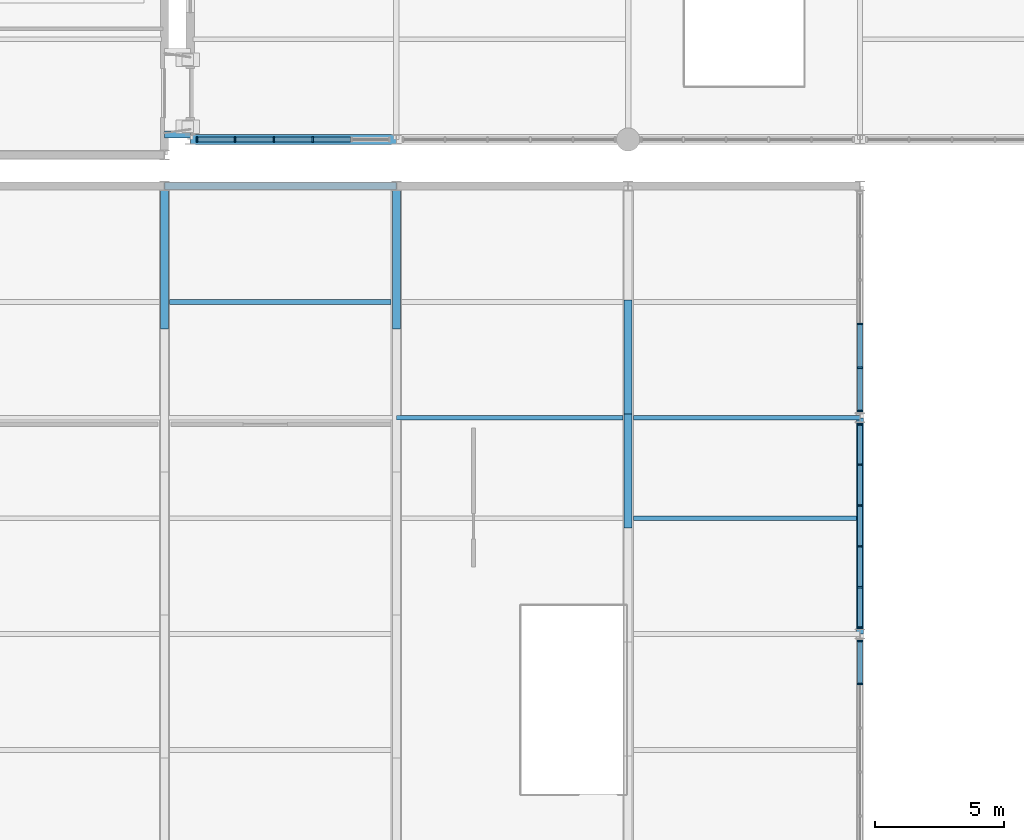
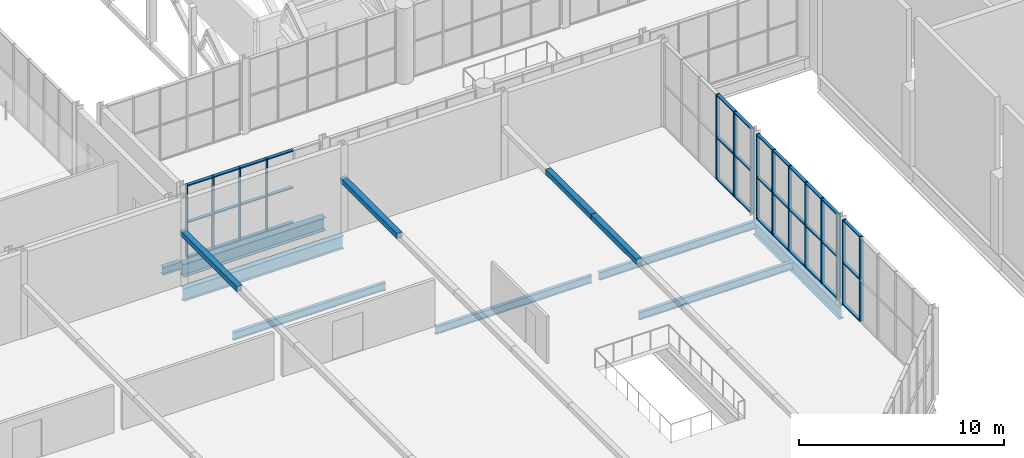
# One storey, part 30 of 134: 55 members, 8 beams, 4 elements without a shape of their own.
"""IFC4 building model written with IfcOpenShell, lengths in metres."""

from ifc_helpers import new_model, si_unit, direction, frame, origin, origin_2d, place, context, subcontext, project, spatial, rectangle, hollow_rectangle, i_section, extrude, material, layer, layer_set, material_profile, profile_set, type_object, element, aggregate, save


model = new_model("IFC4")

# Units and contexts
model_context = context("Model", 3, precision=1e-05, world=origin(), true_north=direction((0.0, 1.0)))
body_context = subcontext(model_context, "Body", "Model", "MODEL_VIEW")
ifc_project = project(units=[si_unit("LENGTHUNIT", "METRE"), si_unit("AREAUNIT", "SQUARE_METRE"), si_unit("VOLUMEUNIT", "CUBIC_METRE"), si_unit("PLANEANGLEUNIT", "RADIAN"), si_unit("MASSUNIT", "GRAM", prefix="KILO")], contexts=[model_context])

# Site, building, storey
site_placement = place(None, origin())
site = spatial("IfcSite", under=ifc_project, at=site_placement, CompositionType="ELEMENT")
building_placement = place(site_placement, origin())
building = spatial("IfcBuilding", under=site, at=building_placement, Name="Cazmaro Siding Exhibition Halls", CompositionType="ELEMENT")
storey_placement = place(building_placement, frame((0.0, 0.0, 12.0)))
storey = spatial("IfcBuildingStorey", under=building, at=storey_placement, Name="L02", CompositionType="ELEMENT", Elevation=12.0)

# Beams
ifc_material_1 = material(Name="Steel ASTM A992 Grade 50", Category="steel")
ifc_material_profile_1 = material_profile(ifc_material_1, i_section(OverallWidth=0.279052734375, OverallDepth=0.4619140625, WebThickness=0.010986328125, FlangeThickness=0.01708984375, at=origin_2d()), Name="W18X76")
ifc_profile_set_1 = profile_set([ifc_material_profile_1], Name="Steel ASTM A992 Grade 50")
beam_type_1 = type_object("IfcBeamType", Name="B-03", PredefinedType="BEAM", material=ifc_profile_set_1)
beam_1_placement = place(storey_placement, frame((36.0, 55.39990234375, -0.450927734375), z_axis=(1.0, 0.0, 0.0), x_axis=(0.0, 1.0, 0.0)))
element("IfcBeam", 1, at=beam_1_placement, inside=storey, type_object=beam_type_1, Name="Beam B-03 BM-2532", PredefinedType="BEAM", context=body_context, shape_type="SweptSolid", body=[
    extrude(i_section(OverallWidth=0.279052734375, OverallDepth=0.4619140625, WebThickness=0.010986328125, FlangeThickness=0.01708984375, at=origin_2d()), origin(), (0.0, 0.0, 1.0), 1.0),
])
ifc_material_2 = material(Name="Steel ASTM A992 Grade 50", Category="steel")
ifc_material_profile_2 = material_profile(ifc_material_2, i_section(OverallWidth=0.26708984375, OverallDepth=0.779052734375, WebThickness=0.01708984375, FlangeThickness=0.02490234375, at=origin_2d()), Name="W30X148")
ifc_profile_set_2 = profile_set([ifc_material_profile_2], Name="Steel ASTM A992 Grade 50")
beam_type_2 = type_object("IfcBeamType", Name="B-05", PredefinedType="BEAM", material=ifc_profile_set_2)
beam_2_placement = place(storey_placement, frame((63.0, 36.0, -0.638916015625), z_axis=(0.0, 1.0, 0.0), x_axis=(-1.0, 0.0, 0.0)))
element("IfcBeam", 2, at=beam_2_placement, inside=storey, type_object=beam_type_2, Name="Beam B-05 BM-1744", PredefinedType="BEAM", context=body_context, shape_type="SweptSolid", body=[
    extrude(i_section(OverallWidth=0.26708984375, OverallDepth=0.779052734375, WebThickness=0.01708984375, FlangeThickness=0.02490234375, at=origin_2d()), origin(), (0.0, 0.0, 1.0), 8.39990234375),
])
beam_3_placement = place(storey_placement, frame((45.0, 53.39990234375, -0.638916015625), z_axis=(-1.0, 0.0, 0.0), x_axis=(0.0, -1.0, 0.0)))
element("IfcBeam", 3, at=beam_3_placement, inside=storey, type_object=beam_type_2, Name="Beam B-05 BM-1752", PredefinedType="BEAM", context=body_context, shape_type="SweptSolid", body=[
    extrude(i_section(OverallWidth=0.26708984375, OverallDepth=0.779052734375, WebThickness=0.01708984375, FlangeThickness=0.02490234375, at=origin_2d()), origin(), (0.0, 0.0, 1.0), 9.0),
])

# Curtain wall, members
ifc_material_3 = material(Name="Anodized Bronze Aluminum and Solar-Control Low-E Glazing", Category="aluminium")
ifc_layer = layer(ifc_material_3, 0.199951171875)
ifc_layer_set = layer_set([ifc_layer], Name="Anodized Bronze Aluminum and Solar-Control Low-E Glazing")
curtain_wall_type = type_object("IfcCurtainWallType", Name="CWS-02", PredefinedType="USERDEFINED", material=ifc_layer_set)
curtain_wall_1_placement = place(storey_placement, origin())
curtain_wall_1 = element("IfcCurtainWall", 4, at=curtain_wall_1_placement, inside=storey, type_object=curtain_wall_type, Name="Glazed Curtain Wall CWS-02 CW-142", ObjectType="GLAZED CURTAIN WALL", PredefinedType="USERDEFINED")
ifc_material_4 = material(Name="Anodized Bronze Extruded Aluminum", Category="aluminium")
ifc_material_profile_3 = material_profile(ifc_material_4, rectangle(XDim=0.199951171875, YDim=0.06494140625, at=origin_2d()), Name="CWM-02")
ifc_profile_set_3 = profile_set([ifc_material_profile_3], Name="Anodized Bronze Extruded Aluminum")
member_type_1 = type_object("IfcMemberType", Name="CWM-02", PredefinedType="MULLION", material=ifc_profile_set_3)
member_1_placement = place(storey_placement, frame((37.262451171875, 55.199951171875, 0.0), z_axis=(0.0, 0.0, 1.0), x_axis=(0.0, 1.0, 0.0)))
member_1 = element("IfcMember", 5, at=member_1_placement, type_object=member_type_1, Name="CWS-02 mullion 1", PredefinedType="MULLION", context=body_context, shape_type="SweptSolid", body=[
    extrude(rectangle(XDim=0.199951171875, YDim=0.06494140625, at=origin_2d()), origin(), (0.0, 0.0, 1.0), 4.324951171875),
])
member_2_placement = place(storey_placement, frame((38.738037109375, 55.199951171875, 0.0), z_axis=(0.0, 0.0, 1.0), x_axis=(0.0, 1.0, 0.0)))
member_2 = element("IfcMember", 6, at=member_2_placement, type_object=member_type_1, Name="CWS-02 mullion 2", PredefinedType="MULLION", context=body_context, shape_type="SweptSolid", body=[
    extrude(rectangle(XDim=0.199951171875, YDim=0.06494140625, at=origin_2d()), origin(), (0.0, 0.0, 1.0), 4.324951171875),
])
member_3_placement = place(storey_placement, frame((40.24609375, 55.199951171875, 0.0), z_axis=(0.0, 0.0, 1.0), x_axis=(0.0, 1.0, 0.0)))
member_3 = element("IfcMember", 7, at=member_3_placement, type_object=member_type_1, Name="CWS-02 mullion 3", PredefinedType="MULLION", context=body_context, shape_type="SweptSolid", body=[
    extrude(rectangle(XDim=0.199951171875, YDim=0.06494140625, at=origin_2d()), origin(), (0.0, 0.0, 1.0), 4.324951171875),
])
member_4_placement = place(storey_placement, frame((41.75390625, 55.199951171875, 0.0), z_axis=(0.0, 0.0, 1.0), x_axis=(0.0, 1.0, 0.0)))
member_4 = element("IfcMember", 8, at=member_4_placement, type_object=member_type_1, Name="CWS-02 mullion 4", PredefinedType="MULLION", context=body_context, shape_type="SweptSolid", body=[
    extrude(rectangle(XDim=0.199951171875, YDim=0.06494140625, at=origin_2d()), origin(), (0.0, 0.0, 1.0), 4.324951171875),
])

curtain_wall_2_placement = place(storey_placement, origin())
curtain_wall_2 = element("IfcCurtainWall", 9, at=curtain_wall_2_placement, inside=storey, type_object=curtain_wall_type, Name="Glazed Curtain Wall CWS-02 CW-218", ObjectType="GLAZED CURTAIN WALL", PredefinedType="USERDEFINED")
member_5_placement = place(storey_placement, frame((63.0, 34.061279296875, 0.0), z_axis=(0.0, 0.0, 1.0), x_axis=(-1.0, 0.0, 0.0)))
member_5 = element("IfcMember", 10, at=member_5_placement, type_object=member_type_1, Name="CWS-02 mullion 5", PredefinedType="MULLION", context=body_context, shape_type="SweptSolid", body=[
    extrude(rectangle(XDim=0.199951171875, YDim=0.06494140625, at=origin_2d()), origin(), (0.0, 0.0, 1.0), 5.050048828125),
])
member_6_placement = place(storey_placement, frame((63.0, 35.736572265625, 0.0), z_axis=(0.0, 0.0, 1.0), x_axis=(-1.0, 0.0, 0.0)))
member_6 = element("IfcMember", 11, at=member_6_placement, type_object=member_type_1, Name="CWS-02 mullion 6", PredefinedType="MULLION", context=body_context, shape_type="SweptSolid", body=[
    extrude(rectangle(XDim=0.199951171875, YDim=0.06494140625, at=origin_2d()), origin(), (0.0, 0.0, 1.0), 5.050048828125),
])

curtain_wall_3_placement = place(storey_placement, origin())
curtain_wall_3 = element("IfcCurtainWall", 12, at=curtain_wall_3_placement, inside=storey, type_object=curtain_wall_type, Name="Glazed Curtain Wall CWS-02 CW-220", ObjectType="GLAZED CURTAIN WALL", PredefinedType="USERDEFINED")
member_7_placement = place(storey_placement, frame((63.0, 36.263427734375, 0.0), z_axis=(0.0, 0.0, 1.0), x_axis=(-1.0, 0.0, 0.0)))
member_7 = element("IfcMember", 13, at=member_7_placement, type_object=member_type_1, Name="CWS-02 mullion 1", PredefinedType="MULLION", context=body_context, shape_type="SweptSolid", body=[
    extrude(rectangle(XDim=0.199951171875, YDim=0.06494140625, at=origin_2d()), origin(), (0.0, 0.0, 1.0), 5.050048828125),
])
member_8_placement = place(storey_placement, frame((63.0, 37.818603515625, 0.0), z_axis=(0.0, 0.0, 1.0), x_axis=(-1.0, 0.0, 0.0)))
member_8 = element("IfcMember", 14, at=member_8_placement, type_object=member_type_1, Name="CWS-02 mullion 2", PredefinedType="MULLION", context=body_context, shape_type="SweptSolid", body=[
    extrude(rectangle(XDim=0.199951171875, YDim=0.06494140625, at=origin_2d()), origin(), (0.0, 0.0, 1.0), 5.050048828125),
])
member_9_placement = place(storey_placement, frame((63.0, 39.40625, 0.0), z_axis=(0.0, 0.0, 1.0), x_axis=(-1.0, 0.0, 0.0)))
member_9 = element("IfcMember", 15, at=member_9_placement, type_object=member_type_1, Name="CWS-02 mullion 3", PredefinedType="MULLION", context=body_context, shape_type="SweptSolid", body=[
    extrude(rectangle(XDim=0.199951171875, YDim=0.06494140625, at=origin_2d()), origin(), (0.0, 0.0, 1.0), 5.050048828125),
])
member_10_placement = place(storey_placement, frame((63.0, 40.993896484375, 0.0), z_axis=(0.0, 0.0, 1.0), x_axis=(-1.0, 0.0, 0.0)))
member_10 = element("IfcMember", 16, at=member_10_placement, type_object=member_type_1, Name="CWS-02 mullion 4", PredefinedType="MULLION", context=body_context, shape_type="SweptSolid", body=[
    extrude(rectangle(XDim=0.199951171875, YDim=0.06494140625, at=origin_2d()), origin(), (0.0, 0.0, 1.0), 5.050048828125),
])
member_11_placement = place(storey_placement, frame((63.0, 42.581298828125, 0.0), z_axis=(0.0, 0.0, 1.0), x_axis=(-1.0, 0.0, 0.0)))
member_11 = element("IfcMember", 17, at=member_11_placement, type_object=member_type_1, Name="CWS-02 mullion 5", PredefinedType="MULLION", context=body_context, shape_type="SweptSolid", body=[
    extrude(rectangle(XDim=0.199951171875, YDim=0.06494140625, at=origin_2d()), origin(), (0.0, 0.0, 1.0), 5.050048828125),
])
member_12_placement = place(storey_placement, frame((63.0, 44.136474609375, 0.0), z_axis=(0.0, 0.0, 1.0), x_axis=(-1.0, 0.0, 0.0)))
member_12 = element("IfcMember", 18, at=member_12_placement, type_object=member_type_1, Name="CWS-02 mullion 6", PredefinedType="MULLION", context=body_context, shape_type="SweptSolid", body=[
    extrude(rectangle(XDim=0.199951171875, YDim=0.06494140625, at=origin_2d()), origin(), (0.0, 0.0, 1.0), 5.050048828125),
])

curtain_wall_4_placement = place(storey_placement, origin())
curtain_wall_4 = element("IfcCurtainWall", 19, at=curtain_wall_4_placement, inside=storey, type_object=curtain_wall_type, Name="Glazed Curtain Wall CWS-02 CW-222", ObjectType="GLAZED CURTAIN WALL", PredefinedType="USERDEFINED")
member_13_placement = place(storey_placement, frame((63.0, 44.66357421875, 0.0), z_axis=(0.0, 0.0, 1.0), x_axis=(-1.0, 0.0, 0.0)))
member_13 = element("IfcMember", 20, at=member_13_placement, type_object=member_type_1, Name="CWS-02 mullion 1", PredefinedType="MULLION", context=body_context, shape_type="SweptSolid", body=[
    extrude(rectangle(XDim=0.199951171875, YDim=0.06494140625, at=origin_2d()), origin(), (0.0, 0.0, 1.0), 5.050048828125),
])
member_14_placement = place(storey_placement, frame((63.0, 46.338623046875, 0.0), z_axis=(0.0, 0.0, 1.0), x_axis=(-1.0, 0.0, 0.0)))
member_14 = element("IfcMember", 21, at=member_14_placement, type_object=member_type_1, Name="CWS-02 mullion 2", PredefinedType="MULLION", context=body_context, shape_type="SweptSolid", body=[
    extrude(rectangle(XDim=0.199951171875, YDim=0.06494140625, at=origin_2d()), origin(), (0.0, 0.0, 1.0), 5.050048828125),
])
member_15_placement = place(storey_placement, frame((63.0, 48.046142578125, 0.0), z_axis=(0.0, 0.0, 1.0), x_axis=(-1.0, 0.0, 0.0)))
member_15 = element("IfcMember", 22, at=member_15_placement, type_object=member_type_1, Name="CWS-02 mullion 3", PredefinedType="MULLION", context=body_context, shape_type="SweptSolid", body=[
    extrude(rectangle(XDim=0.199951171875, YDim=0.06494140625, at=origin_2d()), origin(), (0.0, 0.0, 1.0), 5.050048828125),
])

# Member
ifc_material_5 = material(Name="Anodized Bronze Extruded Aluminum", Category="aluminium")
ifc_material_profile_4 = material_profile(ifc_material_5, rectangle(XDim=0.179931640625, YDim=0.06494140625, at=origin_2d()), Name="CWT-02")
ifc_profile_set_4 = profile_set([ifc_material_profile_4], Name="Anodized Bronze Extruded Aluminum")
member_type_2 = type_object("IfcMemberType", Name="CWT-02", PredefinedType="MULLION", material=ifc_profile_set_4)
member_16_placement = place(storey_placement, frame((37.294921875, 55.199951171875, 0.032470703125), z_axis=(1.0, 0.0, 0.0), x_axis=(0.0, 1.0, 0.0)))
member_16 = element("IfcMember", 23, at=member_16_placement, type_object=member_type_2, Name="CWS-02 transom 1.1", ObjectType="TRANSOM", PredefinedType="USERDEFINED", context=body_context, shape_type="SweptSolid", body=[
    extrude(rectangle(XDim=0.179931640625, YDim=0.06494140625, at=origin_2d()), origin(), (0.0, 0.0, 1.0), 1.41064453125),
])

member_17_placement = place(storey_placement, frame((37.294921875, 55.199951171875, 2.10009765625), z_axis=(1.0, 0.0, 0.0), x_axis=(0.0, 1.0, 0.0)))
member_17 = element("IfcMember", 24, at=member_17_placement, type_object=member_type_2, Name="CWS-02 transom 1.2", ObjectType="TRANSOM", PredefinedType="USERDEFINED", context=body_context, shape_type="SweptSolid", body=[
    extrude(rectangle(XDim=0.179931640625, YDim=0.06494140625, at=origin_2d()), origin(), (0.0, 0.0, 1.0), 1.41064453125),
])

member_18_placement = place(storey_placement, frame((37.294921875, 55.199951171875, 4.29248046875), z_axis=(1.0, 0.0, 0.0), x_axis=(0.0, 1.0, 0.0)))
member_18 = element("IfcMember", 25, at=member_18_placement, type_object=member_type_2, Name="CWS-02 transom 1.3", ObjectType="TRANSOM", PredefinedType="USERDEFINED", context=body_context, shape_type="SweptSolid", body=[
    extrude(rectangle(XDim=0.179931640625, YDim=0.06494140625, at=origin_2d()), origin(), (0.0, 0.0, 1.0), 1.41064453125),
])

member_19_placement = place(storey_placement, frame((38.7705078125, 55.199951171875, 0.032470703125), z_axis=(1.0, 0.0, 0.0), x_axis=(0.0, 1.0, 0.0)))
member_19 = element("IfcMember", 26, at=member_19_placement, type_object=member_type_2, Name="CWS-02 transom 2.1", ObjectType="TRANSOM", PredefinedType="USERDEFINED", context=body_context, shape_type="SweptSolid", body=[
    extrude(rectangle(XDim=0.179931640625, YDim=0.06494140625, at=origin_2d()), origin(), (0.0, 0.0, 1.0), 1.44287109375),
])

member_20_placement = place(storey_placement, frame((38.7705078125, 55.199951171875, 2.10009765625), z_axis=(1.0, 0.0, 0.0), x_axis=(0.0, 1.0, 0.0)))
member_20 = element("IfcMember", 27, at=member_20_placement, type_object=member_type_2, Name="CWS-02 transom 2.2", ObjectType="TRANSOM", PredefinedType="USERDEFINED", context=body_context, shape_type="SweptSolid", body=[
    extrude(rectangle(XDim=0.179931640625, YDim=0.06494140625, at=origin_2d()), origin(), (0.0, 0.0, 1.0), 1.44287109375),
])

member_21_placement = place(storey_placement, frame((38.7705078125, 55.199951171875, 4.29248046875), z_axis=(1.0, 0.0, 0.0), x_axis=(0.0, 1.0, 0.0)))
member_21 = element("IfcMember", 28, at=member_21_placement, type_object=member_type_2, Name="CWS-02 transom 2.3", ObjectType="TRANSOM", PredefinedType="USERDEFINED", context=body_context, shape_type="SweptSolid", body=[
    extrude(rectangle(XDim=0.179931640625, YDim=0.06494140625, at=origin_2d()), origin(), (0.0, 0.0, 1.0), 1.44287109375),
])

member_22_placement = place(storey_placement, frame((40.278564453125, 55.199951171875, 0.032470703125), z_axis=(1.0, 0.0, 0.0), x_axis=(0.0, 1.0, 0.0)))
member_22 = element("IfcMember", 29, at=member_22_placement, type_object=member_type_2, Name="CWS-02 transom 3.1", ObjectType="TRANSOM", PredefinedType="USERDEFINED", context=body_context, shape_type="SweptSolid", body=[
    extrude(rectangle(XDim=0.179931640625, YDim=0.06494140625, at=origin_2d()), origin(), (0.0, 0.0, 1.0), 1.44287109375),
])

member_23_placement = place(storey_placement, frame((40.278564453125, 55.199951171875, 2.10009765625), z_axis=(1.0, 0.0, 0.0), x_axis=(0.0, 1.0, 0.0)))
member_23 = element("IfcMember", 30, at=member_23_placement, type_object=member_type_2, Name="CWS-02 transom 3.2", ObjectType="TRANSOM", PredefinedType="USERDEFINED", context=body_context, shape_type="SweptSolid", body=[
    extrude(rectangle(XDim=0.179931640625, YDim=0.06494140625, at=origin_2d()), origin(), (0.0, 0.0, 1.0), 1.44287109375),
])

member_24_placement = place(storey_placement, frame((40.278564453125, 55.199951171875, 4.29248046875), z_axis=(1.0, 0.0, 0.0), x_axis=(0.0, 1.0, 0.0)))
member_24 = element("IfcMember", 31, at=member_24_placement, type_object=member_type_2, Name="CWS-02 transom 3.3", ObjectType="TRANSOM", PredefinedType="USERDEFINED", context=body_context, shape_type="SweptSolid", body=[
    extrude(rectangle(XDim=0.179931640625, YDim=0.06494140625, at=origin_2d()), origin(), (0.0, 0.0, 1.0), 1.44287109375),
])

member_25_placement = place(storey_placement, frame((41.78662109375, 55.199951171875, 0.032470703125), z_axis=(1.0, 0.0, 0.0), x_axis=(0.0, 1.0, 0.0)))
member_25 = element("IfcMember", 32, at=member_25_placement, type_object=member_type_2, Name="CWS-02 transom 4.1", ObjectType="TRANSOM", PredefinedType="USERDEFINED", context=body_context, shape_type="SweptSolid", body=[
    extrude(rectangle(XDim=0.179931640625, YDim=0.06494140625, at=origin_2d()), origin(), (0.0, 0.0, 1.0), 1.44287109375),
])

member_26_placement = place(storey_placement, frame((41.78662109375, 55.199951171875, 2.10009765625), z_axis=(1.0, 0.0, 0.0), x_axis=(0.0, 1.0, 0.0)))
member_26 = element("IfcMember", 33, at=member_26_placement, type_object=member_type_2, Name="CWS-02 transom 4.2", ObjectType="TRANSOM", PredefinedType="USERDEFINED", context=body_context, shape_type="SweptSolid", body=[
    extrude(rectangle(XDim=0.179931640625, YDim=0.06494140625, at=origin_2d()), origin(), (0.0, 0.0, 1.0), 1.44287109375),
])

member_27_placement = place(storey_placement, frame((41.78662109375, 55.199951171875, 4.29248046875), z_axis=(1.0, 0.0, 0.0), x_axis=(0.0, 1.0, 0.0)))
member_27 = element("IfcMember", 34, at=member_27_placement, type_object=member_type_2, Name="CWS-02 transom 4.3", ObjectType="TRANSOM", PredefinedType="USERDEFINED", context=body_context, shape_type="SweptSolid", body=[
    extrude(rectangle(XDim=0.179931640625, YDim=0.06494140625, at=origin_2d()), origin(), (0.0, 0.0, 1.0), 1.44287109375),
])

aggregate(curtain_wall_1, [member_1, member_2, member_3, member_4, member_16, member_17, member_18, member_19, member_20, member_21, member_22, member_23, member_24, member_25, member_26, member_27])

member_28_placement = place(storey_placement, frame((63.0, 34.093994140625, 0.032470703125), z_axis=(0.0, 1.0, 0.0), x_axis=(-1.0, 0.0, 0.0)))
member_28 = element("IfcMember", 35, at=member_28_placement, type_object=member_type_2, Name="CWS-02 transom 5.1", ObjectType="TRANSOM", PredefinedType="USERDEFINED", context=body_context, shape_type="SweptSolid", body=[
    extrude(rectangle(XDim=0.179931640625, YDim=0.06494140625, at=origin_2d()), origin(), (0.0, 0.0, 1.0), 1.610107421875),
])

member_29_placement = place(storey_placement, frame((63.0, 34.093994140625, 2.5), z_axis=(0.0, 1.0, 0.0), x_axis=(-1.0, 0.0, 0.0)))
member_29 = element("IfcMember", 36, at=member_29_placement, type_object=member_type_2, Name="CWS-02 transom 5.2", ObjectType="TRANSOM", PredefinedType="USERDEFINED", context=body_context, shape_type="SweptSolid", body=[
    extrude(rectangle(XDim=0.179931640625, YDim=0.06494140625, at=origin_2d()), origin(), (0.0, 0.0, 1.0), 1.610107421875),
])

member_30_placement = place(storey_placement, frame((63.0, 34.093994140625, 5.017578125), z_axis=(0.0, 1.0, 0.0), x_axis=(-1.0, 0.0, 0.0)))
member_30 = element("IfcMember", 37, at=member_30_placement, type_object=member_type_2, Name="CWS-02 transom 5.3", ObjectType="TRANSOM", PredefinedType="USERDEFINED", context=body_context, shape_type="SweptSolid", body=[
    extrude(rectangle(XDim=0.179931640625, YDim=0.06494140625, at=origin_2d()), origin(), (0.0, 0.0, 1.0), 1.610107421875),
])

aggregate(curtain_wall_2, [member_5, member_6, member_28, member_29, member_30])

member_31_placement = place(storey_placement, frame((63.0, 36.2958984375, 0.032470703125), z_axis=(0.0, 1.0, 0.0), x_axis=(-1.0, 0.0, 0.0)))
member_31 = element("IfcMember", 38, at=member_31_placement, type_object=member_type_2, Name="CWS-02 transom 1.1", ObjectType="TRANSOM", PredefinedType="USERDEFINED", context=body_context, shape_type="SweptSolid", body=[
    extrude(rectangle(XDim=0.179931640625, YDim=0.06494140625, at=origin_2d()), origin(), (0.0, 0.0, 1.0), 1.490234375),
])

member_32_placement = place(storey_placement, frame((63.0, 36.2958984375, 2.5), z_axis=(0.0, 1.0, 0.0), x_axis=(-1.0, 0.0, 0.0)))
member_32 = element("IfcMember", 39, at=member_32_placement, type_object=member_type_2, Name="CWS-02 transom 1.2", ObjectType="TRANSOM", PredefinedType="USERDEFINED", context=body_context, shape_type="SweptSolid", body=[
    extrude(rectangle(XDim=0.179931640625, YDim=0.06494140625, at=origin_2d()), origin(), (0.0, 0.0, 1.0), 1.490234375),
])

member_33_placement = place(storey_placement, frame((63.0, 36.2958984375, 5.017578125), z_axis=(0.0, 1.0, 0.0), x_axis=(-1.0, 0.0, 0.0)))
member_33 = element("IfcMember", 40, at=member_33_placement, type_object=member_type_2, Name="CWS-02 transom 1.3", ObjectType="TRANSOM", PredefinedType="USERDEFINED", context=body_context, shape_type="SweptSolid", body=[
    extrude(rectangle(XDim=0.179931640625, YDim=0.06494140625, at=origin_2d()), origin(), (0.0, 0.0, 1.0), 1.490234375),
])

member_34_placement = place(storey_placement, frame((63.0, 37.85107421875, 0.032470703125), z_axis=(0.0, 1.0, 0.0), x_axis=(-1.0, 0.0, 0.0)))
member_34 = element("IfcMember", 41, at=member_34_placement, type_object=member_type_2, Name="CWS-02 transom 2.1", ObjectType="TRANSOM", PredefinedType="USERDEFINED", context=body_context, shape_type="SweptSolid", body=[
    extrude(rectangle(XDim=0.179931640625, YDim=0.06494140625, at=origin_2d()), origin(), (0.0, 0.0, 1.0), 1.522705078125),
])

member_35_placement = place(storey_placement, frame((63.0, 37.85107421875, 2.5), z_axis=(0.0, 1.0, 0.0), x_axis=(-1.0, 0.0, 0.0)))
member_35 = element("IfcMember", 42, at=member_35_placement, type_object=member_type_2, Name="CWS-02 transom 2.2", ObjectType="TRANSOM", PredefinedType="USERDEFINED", context=body_context, shape_type="SweptSolid", body=[
    extrude(rectangle(XDim=0.179931640625, YDim=0.06494140625, at=origin_2d()), origin(), (0.0, 0.0, 1.0), 1.522705078125),
])

member_36_placement = place(storey_placement, frame((63.0, 37.85107421875, 5.017578125), z_axis=(0.0, 1.0, 0.0), x_axis=(-1.0, 0.0, 0.0)))
member_36 = element("IfcMember", 43, at=member_36_placement, type_object=member_type_2, Name="CWS-02 transom 2.3", ObjectType="TRANSOM", PredefinedType="USERDEFINED", context=body_context, shape_type="SweptSolid", body=[
    extrude(rectangle(XDim=0.179931640625, YDim=0.06494140625, at=origin_2d()), origin(), (0.0, 0.0, 1.0), 1.522705078125),
])

member_37_placement = place(storey_placement, frame((63.0, 39.438720703125, 0.032470703125), z_axis=(0.0, 1.0, 0.0), x_axis=(-1.0, 0.0, 0.0)))
member_37 = element("IfcMember", 44, at=member_37_placement, type_object=member_type_2, Name="CWS-02 transom 3.1", ObjectType="TRANSOM", PredefinedType="USERDEFINED", context=body_context, shape_type="SweptSolid", body=[
    extrude(rectangle(XDim=0.179931640625, YDim=0.06494140625, at=origin_2d()), origin(), (0.0, 0.0, 1.0), 1.5224609375),
])

member_38_placement = place(storey_placement, frame((63.0, 39.438720703125, 2.5), z_axis=(0.0, 1.0, 0.0), x_axis=(-1.0, 0.0, 0.0)))
member_38 = element("IfcMember", 45, at=member_38_placement, type_object=member_type_2, Name="CWS-02 transom 3.2", ObjectType="TRANSOM", PredefinedType="USERDEFINED", context=body_context, shape_type="SweptSolid", body=[
    extrude(rectangle(XDim=0.179931640625, YDim=0.06494140625, at=origin_2d()), origin(), (0.0, 0.0, 1.0), 1.5224609375),
])

member_39_placement = place(storey_placement, frame((63.0, 39.438720703125, 5.017578125), z_axis=(0.0, 1.0, 0.0), x_axis=(-1.0, 0.0, 0.0)))
member_39 = element("IfcMember", 46, at=member_39_placement, type_object=member_type_2, Name="CWS-02 transom 3.3", ObjectType="TRANSOM", PredefinedType="USERDEFINED", context=body_context, shape_type="SweptSolid", body=[
    extrude(rectangle(XDim=0.179931640625, YDim=0.06494140625, at=origin_2d()), origin(), (0.0, 0.0, 1.0), 1.5224609375),
])

member_40_placement = place(storey_placement, frame((63.0, 41.0263671875, 0.032470703125), z_axis=(0.0, 1.0, 0.0), x_axis=(-1.0, 0.0, 0.0)))
member_40 = element("IfcMember", 47, at=member_40_placement, type_object=member_type_2, Name="CWS-02 transom 4.1", ObjectType="TRANSOM", PredefinedType="USERDEFINED", context=body_context, shape_type="SweptSolid", body=[
    extrude(rectangle(XDim=0.179931640625, YDim=0.06494140625, at=origin_2d()), origin(), (0.0, 0.0, 1.0), 1.5224609375),
])

member_41_placement = place(storey_placement, frame((63.0, 41.0263671875, 2.5), z_axis=(0.0, 1.0, 0.0), x_axis=(-1.0, 0.0, 0.0)))
member_41 = element("IfcMember", 48, at=member_41_placement, type_object=member_type_2, Name="CWS-02 transom 4.2", ObjectType="TRANSOM", PredefinedType="USERDEFINED", context=body_context, shape_type="SweptSolid", body=[
    extrude(rectangle(XDim=0.179931640625, YDim=0.06494140625, at=origin_2d()), origin(), (0.0, 0.0, 1.0), 1.5224609375),
])

member_42_placement = place(storey_placement, frame((63.0, 41.0263671875, 5.017578125), z_axis=(0.0, 1.0, 0.0), x_axis=(-1.0, 0.0, 0.0)))
member_42 = element("IfcMember", 49, at=member_42_placement, type_object=member_type_2, Name="CWS-02 transom 4.3", ObjectType="TRANSOM", PredefinedType="USERDEFINED", context=body_context, shape_type="SweptSolid", body=[
    extrude(rectangle(XDim=0.179931640625, YDim=0.06494140625, at=origin_2d()), origin(), (0.0, 0.0, 1.0), 1.5224609375),
])

member_43_placement = place(storey_placement, frame((63.0, 42.614013671875, 0.032470703125), z_axis=(0.0, 1.0, 0.0), x_axis=(-1.0, 0.0, 0.0)))
member_43 = element("IfcMember", 50, at=member_43_placement, type_object=member_type_2, Name="CWS-02 transom 5.1", ObjectType="TRANSOM", PredefinedType="USERDEFINED", context=body_context, shape_type="SweptSolid", body=[
    extrude(rectangle(XDim=0.179931640625, YDim=0.06494140625, at=origin_2d()), origin(), (0.0, 0.0, 1.0), 1.489990234375),
])

member_44_placement = place(storey_placement, frame((63.0, 42.614013671875, 2.5), z_axis=(0.0, 1.0, 0.0), x_axis=(-1.0, 0.0, 0.0)))
member_44 = element("IfcMember", 51, at=member_44_placement, type_object=member_type_2, Name="CWS-02 transom 5.2", ObjectType="TRANSOM", PredefinedType="USERDEFINED", context=body_context, shape_type="SweptSolid", body=[
    extrude(rectangle(XDim=0.179931640625, YDim=0.06494140625, at=origin_2d()), origin(), (0.0, 0.0, 1.0), 1.489990234375),
])

member_45_placement = place(storey_placement, frame((63.0, 42.614013671875, 5.017578125), z_axis=(0.0, 1.0, 0.0), x_axis=(-1.0, 0.0, 0.0)))
member_45 = element("IfcMember", 52, at=member_45_placement, type_object=member_type_2, Name="CWS-02 transom 5.3", ObjectType="TRANSOM", PredefinedType="USERDEFINED", context=body_context, shape_type="SweptSolid", body=[
    extrude(rectangle(XDim=0.179931640625, YDim=0.06494140625, at=origin_2d()), origin(), (0.0, 0.0, 1.0), 1.489990234375),
])

aggregate(curtain_wall_3, [member_7, member_8, member_9, member_10, member_11, member_12, member_31, member_32, member_33, member_34, member_35, member_36, member_37, member_38, member_39, member_40, member_41, member_42, member_43, member_44, member_45])

member_46_placement = place(storey_placement, frame((63.0, 44.696044921875, 0.032470703125), z_axis=(0.0, 1.0, 0.0), x_axis=(-1.0, 0.0, 0.0)))
member_46 = element("IfcMember", 53, at=member_46_placement, type_object=member_type_2, Name="CWS-02 transom 1.1", ObjectType="TRANSOM", PredefinedType="USERDEFINED", context=body_context, shape_type="SweptSolid", body=[
    extrude(rectangle(XDim=0.179931640625, YDim=0.06494140625, at=origin_2d()), origin(), (0.0, 0.0, 1.0), 1.610107421875),
])

member_47_placement = place(storey_placement, frame((63.0, 44.696044921875, 2.5), z_axis=(0.0, 1.0, 0.0), x_axis=(-1.0, 0.0, 0.0)))
member_47 = element("IfcMember", 54, at=member_47_placement, type_object=member_type_2, Name="CWS-02 transom 1.2", ObjectType="TRANSOM", PredefinedType="USERDEFINED", context=body_context, shape_type="SweptSolid", body=[
    extrude(rectangle(XDim=0.179931640625, YDim=0.06494140625, at=origin_2d()), origin(), (0.0, 0.0, 1.0), 1.610107421875),
])

member_48_placement = place(storey_placement, frame((63.0, 44.696044921875, 5.017578125), z_axis=(0.0, 1.0, 0.0), x_axis=(-1.0, 0.0, 0.0)))
member_48 = element("IfcMember", 55, at=member_48_placement, type_object=member_type_2, Name="CWS-02 transom 1.3", ObjectType="TRANSOM", PredefinedType="USERDEFINED", context=body_context, shape_type="SweptSolid", body=[
    extrude(rectangle(XDim=0.179931640625, YDim=0.06494140625, at=origin_2d()), origin(), (0.0, 0.0, 1.0), 1.610107421875),
])

member_49_placement = place(storey_placement, frame((63.0, 46.37109375, 0.032470703125), z_axis=(0.0, 1.0, 0.0), x_axis=(-1.0, 0.0, 0.0)))
member_49 = element("IfcMember", 56, at=member_49_placement, type_object=member_type_2, Name="CWS-02 transom 2.1", ObjectType="TRANSOM", PredefinedType="USERDEFINED", context=body_context, shape_type="SweptSolid", body=[
    extrude(rectangle(XDim=0.179931640625, YDim=0.06494140625, at=origin_2d()), origin(), (0.0, 0.0, 1.0), 1.642578125),
])

member_50_placement = place(storey_placement, frame((63.0, 46.37109375, 2.5), z_axis=(0.0, 1.0, 0.0), x_axis=(-1.0, 0.0, 0.0)))
member_50 = element("IfcMember", 57, at=member_50_placement, type_object=member_type_2, Name="CWS-02 transom 2.2", ObjectType="TRANSOM", PredefinedType="USERDEFINED", context=body_context, shape_type="SweptSolid", body=[
    extrude(rectangle(XDim=0.179931640625, YDim=0.06494140625, at=origin_2d()), origin(), (0.0, 0.0, 1.0), 1.642578125),
])

member_51_placement = place(storey_placement, frame((63.0, 46.37109375, 5.017578125), z_axis=(0.0, 1.0, 0.0), x_axis=(-1.0, 0.0, 0.0)))
member_51 = element("IfcMember", 58, at=member_51_placement, type_object=member_type_2, Name="CWS-02 transom 2.3", ObjectType="TRANSOM", PredefinedType="USERDEFINED", context=body_context, shape_type="SweptSolid", body=[
    extrude(rectangle(XDim=0.179931640625, YDim=0.06494140625, at=origin_2d()), origin(), (0.0, 0.0, 1.0), 1.642578125),
])

aggregate(curtain_wall_4, [member_13, member_14, member_15, member_46, member_47, member_48, member_49, member_50, member_51])

# Beams
ifc_material_6 = material(Name="Steel ASTM A992 Grade 50", Category="steel")
ifc_material_profile_5 = material_profile(ifc_material_6, i_section(OverallWidth=0.381103515625, OverallDepth=0.779052734375, WebThickness=0.01806640625, FlangeThickness=0.030029296875, at=origin_2d()), Name="W30X191")
ifc_profile_set_5 = profile_set([ifc_material_profile_5], Name="Steel ASTM A992 Grade 50")
beam_type_3 = type_object("IfcBeamType", Name="G-04", PredefinedType="USERDEFINED", material=ifc_profile_set_5)
beam_4_placement = place(storey_placement, frame((37.0, 55.199951171875, -0.610107421875), z_axis=(1.0, 0.0, 0.0), x_axis=(0.0, 1.0, 0.0)))
element("IfcBeam", 59, at=beam_4_placement, inside=storey, type_object=beam_type_3, Name="Beam G-04 BM-1570", ObjectType="GIRDER", PredefinedType="USERDEFINED", context=body_context, shape_type="SweptSolid", body=[
    extrude(i_section(OverallWidth=0.381103515625, OverallDepth=0.779052734375, WebThickness=0.01806640625, FlangeThickness=0.030029296875, at=origin_2d()), origin(), (0.0, 0.0, 1.0), 8.0),
])
ifc_material_7 = material(Name="Steel ASTM A992 Grade 50", Category="steel")
ifc_material_profile_6 = material_profile(ifc_material_7, i_section(OverallWidth=0.19091796875, OverallDepth=0.45703125, WebThickness=0.009033203125, FlangeThickness=0.013916015625, at=origin_2d()), Name="W18X50")
ifc_profile_set_6 = profile_set([ifc_material_profile_6], Name="Steel ASTM A992 Grade 50")
beam_type_4 = type_object("IfcBeamType", Name="J-01", PredefinedType="JOIST", material=ifc_profile_set_6)
beam_5_placement = place(storey_placement, frame((54.201904296875, 40.5, -0.47900390625), z_axis=(1.0, 0.0, 0.0), x_axis=(0.0, 1.0, 0.0)))
element("IfcBeam", 60, at=beam_5_placement, inside=storey, type_object=beam_type_4, Name="Beam J-01 BM-1863", PredefinedType="JOIST", context=body_context, shape_type="SweptSolid", body=[
    extrude(i_section(OverallWidth=0.19091796875, OverallDepth=0.45703125, WebThickness=0.009033203125, FlangeThickness=0.013916015625, at=origin_2d()), origin(), (0.0, 0.0, 1.0), 8.6640625),
])
for number, where, z_axis, x_axis, name in (
    (61, (45.0, 44.39990234375, -0.47900390625), (1.0, 0.0, 0.0), (0.0, 1.0, 0.0), "Beam J-01 BM-1869"),
    (62, (54.201904296875, 44.39990234375, -0.47900390625), (1.0, 0.0, 0.0), (0.0, 1.0, 0.0), "Beam J-01 BM-1870"),
):
    element("IfcBeam", number, at=place(storey_placement, frame(where, z_axis=z_axis, x_axis=x_axis)), inside=storey, type_object=beam_type_4, Name=name, PredefinedType="JOIST", context=body_context, shape_type="SweptSolid", body=[
        extrude(i_section(OverallWidth=0.19091796875, OverallDepth=0.45703125, WebThickness=0.009033203125, FlangeThickness=0.013916015625, at=origin_2d()), origin(), (0.0, 0.0, 1.0), 8.798095703125),
    ])
beam_6_placement = place(storey_placement, frame((36.201904296875, 48.89990234375, -0.47900390625), z_axis=(1.0, 0.0, 0.0), x_axis=(0.0, 1.0, 0.0)))
element("IfcBeam", 63, at=beam_6_placement, inside=storey, type_object=beam_type_4, Name="Beam J-01 BM-1874", PredefinedType="JOIST", context=body_context, shape_type="SweptSolid", body=[
    extrude(i_section(OverallWidth=0.19091796875, OverallDepth=0.45703125, WebThickness=0.009033203125, FlangeThickness=0.013916015625, at=origin_2d()), origin(), (0.0, 0.0, 1.0), 8.59619140625),
])

# Members
ifc_material_8 = material(Name="Steel ASTM A500 Grade C", Category="steel")
ifc_material_profile_7 = material_profile(ifc_material_8, hollow_rectangle(XDim=0.304931640625, YDim=0.304931640625, WallThickness=0.014892578125, at=origin_2d()), Name="HSS12X12X5/8")
ifc_profile_set_7 = profile_set([ifc_material_profile_7], Name="Steel ASTM A500 Grade C")
member_type_3 = type_object("IfcMemberType", Name="TC-02", PredefinedType="CHORD", material=ifc_profile_set_7)
for number, where, z_axis, x_axis, name in (
    (64, (36.0, 47.85009765625, 3.050048828125), (0.0, 1.0, 0.0), (-1.0, 0.0, 0.0), "Congress folded roof bottom chord TC-02 MEM-3359"),
    (65, (45.0, 47.85009765625, 3.050048828125), (0.0, 1.0, 0.0), (-1.0, 0.0, 0.0), "Congress folded roof bottom chord TC-02 MEM-3390"),
):
    element("IfcMember", number, at=place(storey_placement, frame(where, z_axis=z_axis, x_axis=x_axis)), inside=storey, type_object=member_type_3, Name=name, PredefinedType="CHORD", context=body_context, shape_type="SweptSolid", body=[
        extrude(hollow_rectangle(XDim=0.304931640625, YDim=0.304931640625, WallThickness=0.014892578125, at=origin_2d()), origin(), (0.0, 0.0, 1.0), 5.5498046875),
    ])
for number, where, z_axis, x_axis, name in (
    (66, (54.0, 40.125, 3.050048828125), (0.0, 1.0, 0.0), (-1.0, 0.0, 0.0), "Congress folded roof bottom chord TC-02 MEM-3415"),
    (67, (54.0, 44.550048828125, 3.050048828125), (0.0, 1.0, 0.0), (-1.0, 0.0, 0.0), "Congress folded roof bottom chord TC-02 MEM-3418"),
):
    element("IfcMember", number, at=place(storey_placement, frame(where, z_axis=z_axis, x_axis=x_axis)), inside=storey, type_object=member_type_3, Name=name, PredefinedType="CHORD", context=body_context, shape_type="SweptSolid", body=[
        extrude(hollow_rectangle(XDim=0.304931640625, YDim=0.304931640625, WallThickness=0.014892578125, at=origin_2d()), origin(), (0.0, 0.0, 1.0), 4.425048828125),
    ])

save(model, "model.ifc")
